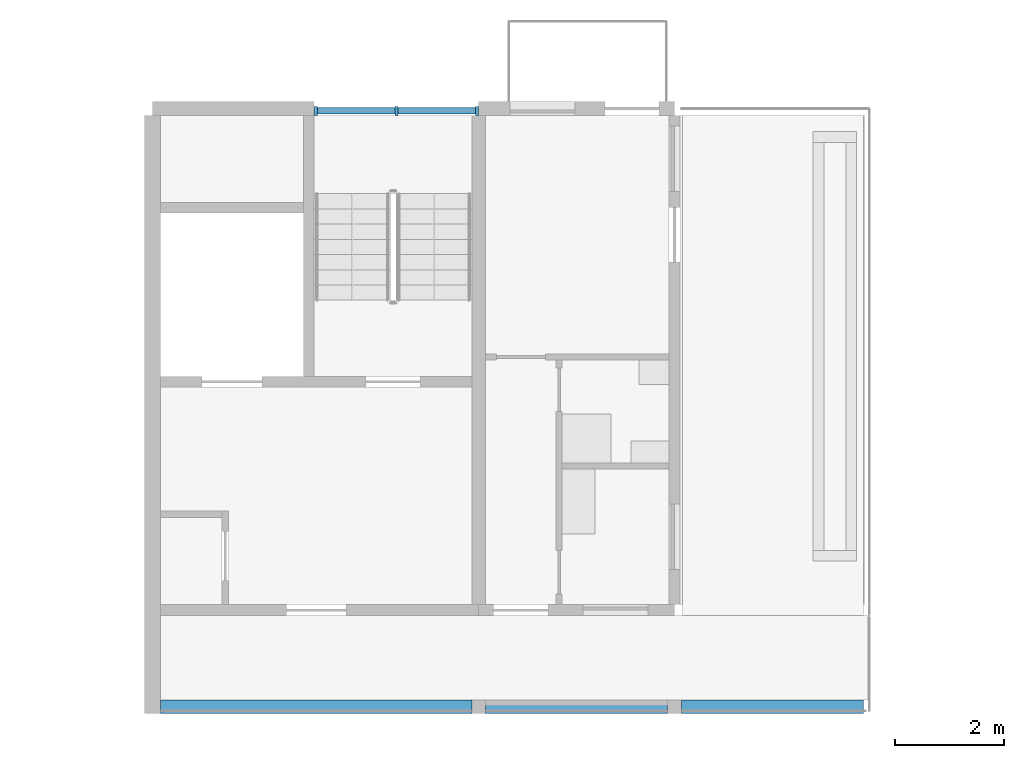
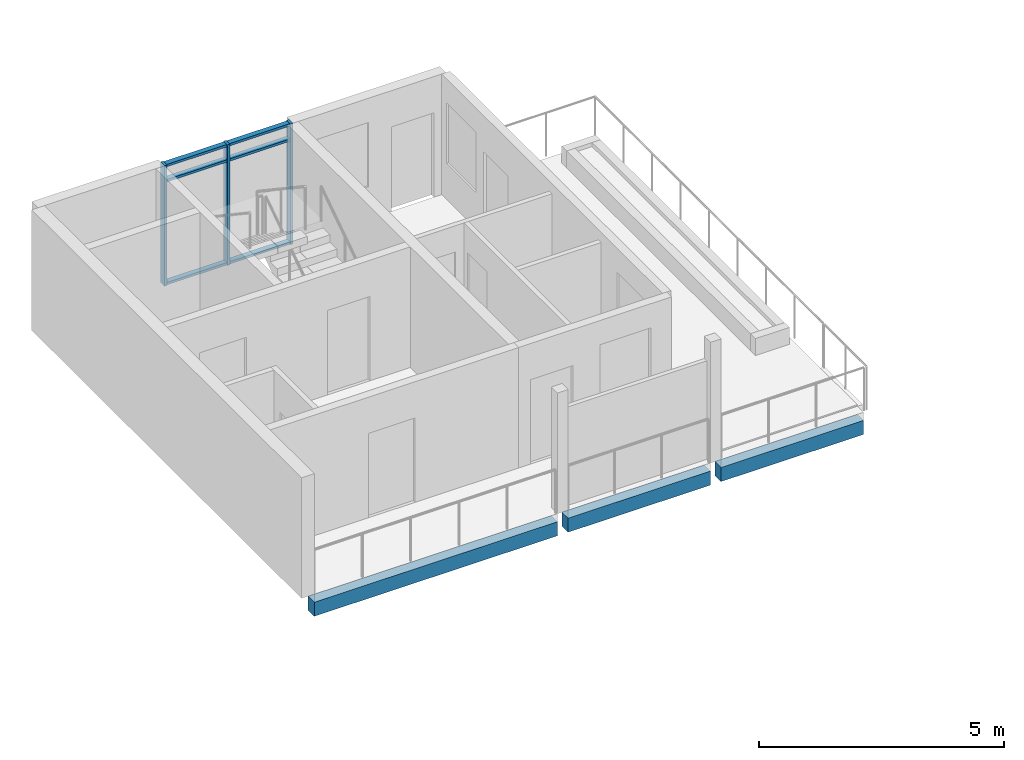
# One storey, part 5 of 33: 9 members, 3 beams, 1 element without a shape of its own.
"""IFC4 building model written with IfcOpenShell, lengths in metres."""

from ifc_helpers import new_model, si_unit, direction, frame, origin, origin_2d, place, context, subcontext, project, spatial, rectangle, extrude, material, material_profile, profile_set, type_object, element, aggregate, save


model = new_model("IFC4")

# Units and contexts
model_context = context("Model", 3, precision=1e-05, world=origin(), true_north=direction((0.0, 1.0)))
body_context = subcontext(model_context, "Body", "Model", "MODEL_VIEW")
ifc_project = project(units=[si_unit("LENGTHUNIT", "METRE"), si_unit("AREAUNIT", "SQUARE_METRE"), si_unit("VOLUMEUNIT", "CUBIC_METRE"), si_unit("PLANEANGLEUNIT", "RADIAN"), si_unit("MASSUNIT", "GRAM", prefix="KILO")], contexts=[model_context])

# Site, building, storey
site_placement = place(None, origin())
site = spatial("IfcSite", under=ifc_project, at=site_placement, CompositionType="ELEMENT")
building_placement = place(site_placement, origin())
building = spatial("IfcBuilding", under=site, at=building_placement, Name="Ridgestep Commons", CompositionType="ELEMENT")
storey_placement = place(building_placement, frame((0.0, 0.0, 42.0)))
storey = spatial("IfcBuildingStorey", under=building, at=storey_placement, Name="L14", CompositionType="ELEMENT", Elevation=42.0)

# Beams
ifc_material_1 = material(Name="Precast concrete C40/50", Category="concrete")
ifc_material_profile_1 = material_profile(ifc_material_1, rectangle(XDim=0.25, YDim=0.35009765625, at=origin_2d()), Name="PC 250x350")
ifc_profile_set_1 = profile_set([ifc_material_profile_1], Name="Precast concrete C40/50")
beam_type = type_object("IfcBeamType", Name="Loggia edge beam 250 x 350", PredefinedType="SPANDREL", material=ifc_profile_set_1)
beam_1_placement = place(storey_placement, frame((45.75, 11.875, -0.375), z_axis=(1.0, 0.0, 0.0), x_axis=(0.0, 1.0, 0.0)))
element("IfcBeam", 1, at=beam_1_placement, inside=storey, type_object=beam_type, Name="Loggia edge beam A3C L14", PredefinedType="SPANDREL", context=body_context, shape_type="SweptSolid", body=[
    extrude(rectangle(XDim=0.25, YDim=0.35009765625, at=origin_2d()), origin(), (0.0, 0.0, 1.0), 5.72509765625),
])
beam_2_placement = place(storey_placement, frame((51.72509765625, 11.875, -0.375), z_axis=(1.0, 0.0, 0.0), x_axis=(0.0, 1.0, 0.0)))
element("IfcBeam", 2, at=beam_2_placement, inside=storey, type_object=beam_type, Name="Loggia edge beam A3T3 L14", PredefinedType="SPANDREL", context=body_context, shape_type="SweptSolid", body=[
    extrude(rectangle(XDim=0.25, YDim=0.35009765625, at=origin_2d()), origin(), (0.0, 0.0, 1.0), 3.349853515625),
])
beam_3_placement = place(storey_placement, frame((55.324951171875, 11.875, -0.375), z_axis=(1.0, 0.0, 0.0), x_axis=(0.0, 1.0, 0.0)))
element("IfcBeam", 3, at=beam_3_placement, inside=storey, type_object=beam_type, Name="Loggia edge beam A3T2 L14", PredefinedType="SPANDREL", context=body_context, shape_type="SweptSolid", body=[
    extrude(rectangle(XDim=0.25, YDim=0.35009765625, at=origin_2d()), origin(), (0.0, 0.0, 1.0), 3.35009765625),
])

# Curtain wall, members
ifc_material_2 = material(Name="Aluminium 6063-T6 and glass", Category="aluminium")
curtain_wall_type = type_object("IfcCurtainWallType", Name="Curtain wall stair strip", PredefinedType="NOTDEFINED", material=ifc_material_2)
curtain_wall_placement = place(storey_placement, origin())
curtain_wall = element("IfcCurtainWall", 4, at=curtain_wall_placement, inside=storey, type_object=curtain_wall_type, Name="Curtain wall A3C level 14", PredefinedType="NOTDEFINED")
ifc_material_3 = material(Name="Aluminium 6063-T6", Category="aluminium")
ifc_material_profile_2 = material_profile(ifc_material_3, rectangle(XDim=0.159912109375, YDim=0.06005859375, at=origin_2d()), Name="Mullion 60 x 160")
ifc_profile_set_2 = profile_set([ifc_material_profile_2], Name="Aluminium 6063-T6")
member_type_1 = type_object("IfcMemberType", Name="Mullion 60 x 160", PredefinedType="MULLION", material=ifc_profile_set_2)
member_1_placement = place(storey_placement, frame((48.60498046875, 22.830078125, 0.0), z_axis=(0.0, 0.0, 1.0), x_axis=(0.0, 1.0, 0.0)))
member_1 = element("IfcMember", 5, at=member_1_placement, type_object=member_type_1, Name="CW1 mullion 1", PredefinedType="MULLION", context=body_context, shape_type="SweptSolid", body=[
    extrude(rectangle(XDim=0.159912109375, YDim=0.06005859375, at=origin_2d()), origin(), (0.0, 0.0, 1.0), 3.0),
])
member_2_placement = place(storey_placement, frame((50.08740234375, 22.830078125, 0.0), z_axis=(0.0, 0.0, 1.0), x_axis=(0.0, 1.0, 0.0)))
member_2 = element("IfcMember", 6, at=member_2_placement, type_object=member_type_1, Name="CW1 mullion 2", PredefinedType="MULLION", context=body_context, shape_type="SweptSolid", body=[
    extrude(rectangle(XDim=0.159912109375, YDim=0.06005859375, at=origin_2d()), origin(), (0.0, 0.0, 1.0), 3.0),
])
member_3_placement = place(storey_placement, frame((51.570068359375, 22.830078125, 0.0), z_axis=(0.0, 0.0, 1.0), x_axis=(0.0, 1.0, 0.0)))
member_3 = element("IfcMember", 7, at=member_3_placement, type_object=member_type_1, Name="CW1 mullion 3", PredefinedType="MULLION", context=body_context, shape_type="SweptSolid", body=[
    extrude(rectangle(XDim=0.159912109375, YDim=0.06005859375, at=origin_2d()), origin(), (0.0, 0.0, 1.0), 3.0),
])
ifc_material_4 = material(Name="Aluminium 6063-T6", Category="aluminium")
ifc_material_profile_3 = material_profile(ifc_material_4, rectangle(XDim=0.1201171875, YDim=0.06005859375, at=origin_2d()), Name="Transom 60 x 120")
ifc_profile_set_3 = profile_set([ifc_material_profile_3], Name="Aluminium 6063-T6")
member_type_2 = type_object("IfcMemberType", Name="Transom 60 x 120", PredefinedType="USERDEFINED", material=ifc_profile_set_3)
member_4_placement = place(storey_placement, frame((48.635009765625, 22.830078125, 0.030029296875), z_axis=(1.0, 0.0, 0.0), x_axis=(0.0, 1.0, 0.0)))
member_4 = element("IfcMember", 8, at=member_4_placement, type_object=member_type_2, Name="CW1 transom 1.1", ObjectType="TRANSOM", PredefinedType="USERDEFINED", context=body_context, shape_type="SweptSolid", body=[
    extrude(rectangle(XDim=0.1201171875, YDim=0.06005859375, at=origin_2d()), origin(), (0.0, 0.0, 1.0), 1.422607421875),
])
member_5_placement = place(storey_placement, frame((48.635009765625, 22.830078125, 2.590087890625), z_axis=(1.0, 0.0, 0.0), x_axis=(0.0, 1.0, 0.0)))
member_5 = element("IfcMember", 9, at=member_5_placement, type_object=member_type_2, Name="CW1 transom 1.2", ObjectType="TRANSOM", PredefinedType="USERDEFINED", context=body_context, shape_type="SweptSolid", body=[
    extrude(rectangle(XDim=0.1201171875, YDim=0.06005859375, at=origin_2d()), origin(), (0.0, 0.0, 1.0), 1.422607421875),
])
member_6_placement = place(storey_placement, frame((48.635009765625, 22.830078125, 2.969970703125), z_axis=(1.0, 0.0, 0.0), x_axis=(0.0, 1.0, 0.0)))
member_6 = element("IfcMember", 10, at=member_6_placement, type_object=member_type_2, Name="CW1 transom 1.3", ObjectType="TRANSOM", PredefinedType="USERDEFINED", context=body_context, shape_type="SweptSolid", body=[
    extrude(rectangle(XDim=0.1201171875, YDim=0.06005859375, at=origin_2d()), origin(), (0.0, 0.0, 1.0), 1.422607421875),
])
member_7_placement = place(storey_placement, frame((50.117431640625, 22.830078125, 0.030029296875), z_axis=(1.0, 0.0, 0.0), x_axis=(0.0, 1.0, 0.0)))
member_7 = element("IfcMember", 11, at=member_7_placement, type_object=member_type_2, Name="CW1 transom 2.1", ObjectType="TRANSOM", PredefinedType="USERDEFINED", context=body_context, shape_type="SweptSolid", body=[
    extrude(rectangle(XDim=0.1201171875, YDim=0.06005859375, at=origin_2d()), origin(), (0.0, 0.0, 1.0), 1.422607421875),
])
member_8_placement = place(storey_placement, frame((50.117431640625, 22.830078125, 2.590087890625), z_axis=(1.0, 0.0, 0.0), x_axis=(0.0, 1.0, 0.0)))
member_8 = element("IfcMember", 12, at=member_8_placement, type_object=member_type_2, Name="CW1 transom 2.2", ObjectType="TRANSOM", PredefinedType="USERDEFINED", context=body_context, shape_type="SweptSolid", body=[
    extrude(rectangle(XDim=0.1201171875, YDim=0.06005859375, at=origin_2d()), origin(), (0.0, 0.0, 1.0), 1.422607421875),
])
member_9_placement = place(storey_placement, frame((50.117431640625, 22.830078125, 2.969970703125), z_axis=(1.0, 0.0, 0.0), x_axis=(0.0, 1.0, 0.0)))
member_9 = element("IfcMember", 13, at=member_9_placement, type_object=member_type_2, Name="CW1 transom 2.3", ObjectType="TRANSOM", PredefinedType="USERDEFINED", context=body_context, shape_type="SweptSolid", body=[
    extrude(rectangle(XDim=0.1201171875, YDim=0.06005859375, at=origin_2d()), origin(), (0.0, 0.0, 1.0), 1.422607421875),
])
aggregate(curtain_wall, [member_1, member_2, member_3, member_4, member_5, member_6, member_7, member_8, member_9])

save(model, "model.ifc")
